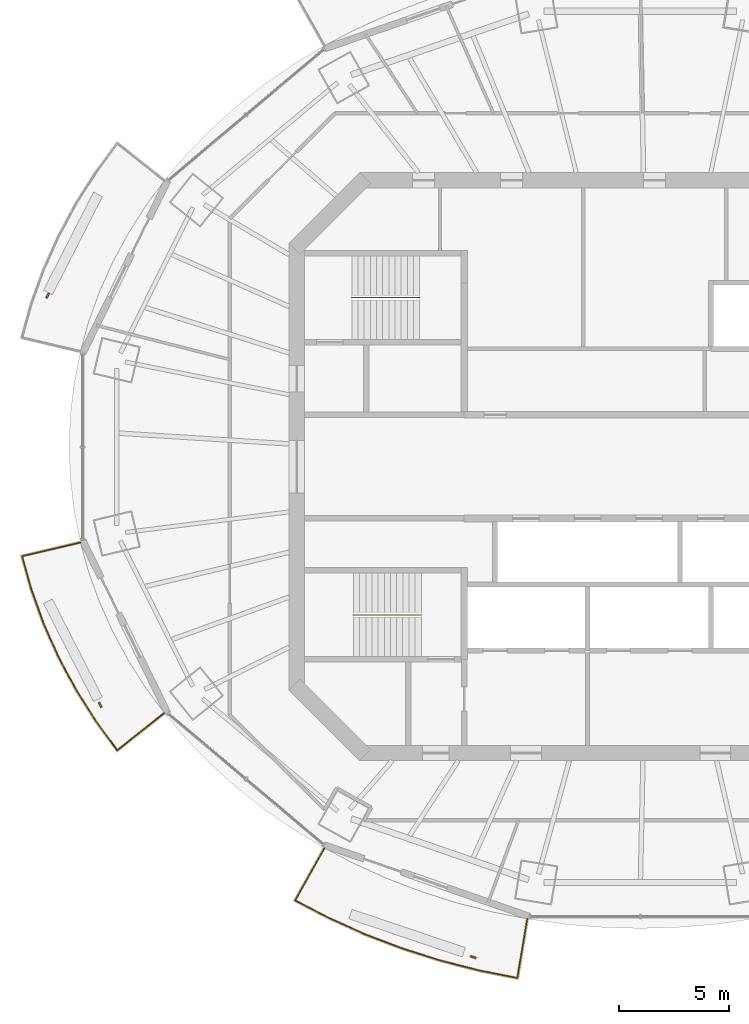
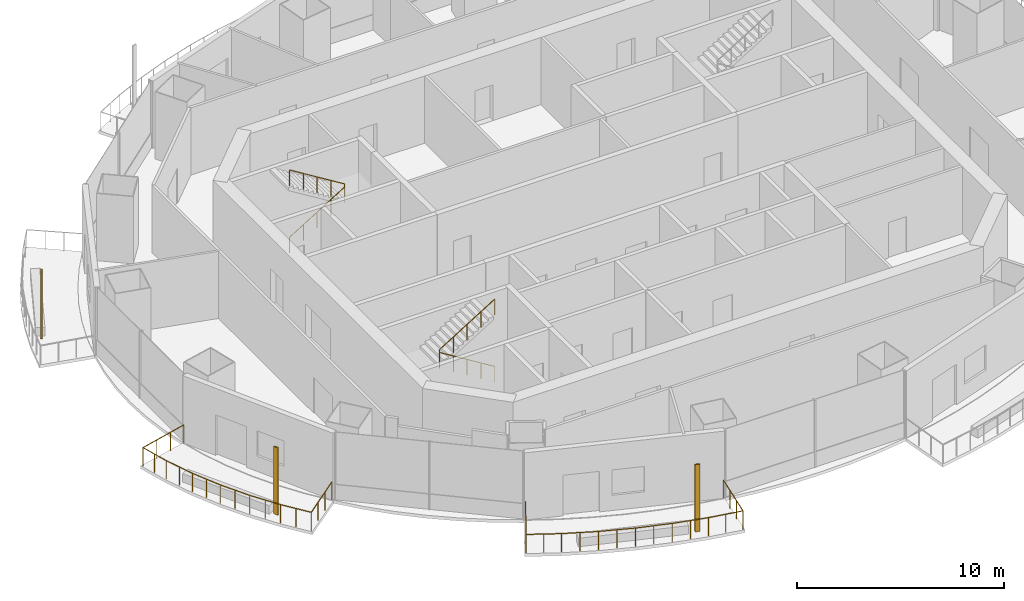
# One storey, part 12 of 16: 4 railings, 3 shading devices.
"""IFC4 building model written with IfcOpenShell, lengths in metres."""

from ifc_helpers import new_model, si_unit, direction, frame, origin, origin_2d, place, context, subcontext, project, spatial, rectangle, circle, extrude, material, material_profile, profile_set, type_object, element, save


model = new_model("IFC4")

# Units and contexts
model_context = context("Model", 3, precision=1e-05, world=origin(), true_north=direction((0.0, 1.0)))
body_context = subcontext(model_context, "Body", "Model", "MODEL_VIEW")
ifc_project = project(units=[si_unit("LENGTHUNIT", "METRE"), si_unit("AREAUNIT", "SQUARE_METRE"), si_unit("VOLUMEUNIT", "CUBIC_METRE"), si_unit("PLANEANGLEUNIT", "RADIAN"), si_unit("MASSUNIT", "GRAM", prefix="KILO")], contexts=[model_context])

# Site, building, storey
site_placement = place(None, origin())
site = spatial("IfcSite", under=ifc_project, at=site_placement, CompositionType="ELEMENT")
building_placement = place(site_placement, origin())
building = spatial("IfcBuilding", under=site, at=building_placement, Name="Marenthal Gate Tower", CompositionType="ELEMENT")
storey_placement = place(building_placement, frame((0.0, 0.0, 371.64990234375)))
storey = spatial("IfcBuildingStorey", under=building, at=storey_placement, Name="L84", CompositionType="ELEMENT", Elevation=371.64990234375)

# Railings
ifc_material_1 = material(Name="Stainless steel", Category="steel")
railing_type_1 = type_object("IfcRailingType", Name="Balcony guard 1100", PredefinedType="GUARDRAIL", material=ifc_material_1)
railing_1_placement = place(storey_placement, frame((-22.019775390625, -11.184814453125, 0.0)))
element("IfcRailing", 1, at=railing_1_placement, inside=storey, type_object=railing_type_1, Name="Balcony guard L84 bay 9", PredefinedType="GUARDRAIL", context=body_context, shape_type="SweptSolid", body=[
    extrude(circle(Radius=0.02392578125, at=origin_2d()), frame((0.0, 0.0, 1.076171875), z_axis=(-0.783849084022, -0.620779037575, -0.014628738344), x_axis=(0.62084547159, -0.783932969332, 0.0)), (0.0, 0.0, 1.0), 2.72021484375),
    extrude(circle(Radius=0.02392578125, at=origin_2d()), frame((-2.13232421875, -1.688720703125, 1.0361328125), z_axis=(-0.592180333089, 0.805805468524, 0.0), x_axis=(-0.805805468524, -0.592180333089, 0.0)), (0.0, 0.0, 1.0), 1.619384765625),
    extrude(circle(Radius=0.02392578125, at=origin_2d()), frame((-3.09130859375, -0.3837890625, 1.0361328125), z_axis=(-0.535564667698, 0.844494219467, 0.0), x_axis=(-0.844494219467, -0.535564667698, 0.0)), (0.0, 0.0, 1.0), 1.68798828125),
    extrude(circle(Radius=0.02392578125, at=origin_2d()), frame((-3.995361328125, 1.041748046875, 1.0361328125), z_axis=(-0.473457232822, 0.880816807679, 0.0), x_axis=(-0.880816807679, -0.473457232822, 0.0)), (0.0, 0.0, 1.0), 1.677001953125),
    extrude(circle(Radius=0.02392578125, at=origin_2d()), frame((-4.789306640625, 2.518798828125, 1.0361328125), z_axis=(-0.407659561492, 0.913133989031, 0.0), x_axis=(-0.913133989031, -0.407659561492, 0.0)), (0.0, 0.0, 1.0), 1.667236328125),
    extrude(circle(Radius=0.02392578125, at=origin_2d()), frame((-5.468994140625, 4.041259765625, 1.0361328125), z_axis=(-0.338563156163, 0.940943669562, 0.0), x_axis=(-0.940943669562, -0.338563156163, 0.0)), (0.0, 0.0, 1.0), 1.6591796875),
    extrude(circle(Radius=0.02392578125, at=origin_2d()), frame((-6.03076171875, 5.6025390625, 1.0361328125), z_axis=(-0.268460599739, 0.963290665577, 0.0), x_axis=(-0.963290665577, -0.268460599739, 0.0)), (0.0, 0.0, 1.0), 1.572265625),
    extrude(circle(Radius=0.02392578125, at=origin_2d()), frame((-6.452880859375, 7.1171875, 1.0361328125), z_axis=(0.973203437972, 0.229480006538, 0.014628565141), x_axis=(-0.229504564257, 0.973307584983, 0.0)), (0.0, 0.0, 1.0), 2.720458984375),
    extrude(circle(Radius=0.02099609375, at=origin_2d()), origin(), (0.0, 0.0, 1.0), 1.052001953125),
    extrude(circle(Radius=0.02099609375, at=origin_2d()), frame((-0.710693359375, -0.56298828125, -0.01318359375)), (0.0, 0.0, 1.0), 1.052001953125),
    extrude(circle(Radius=0.02099609375, at=origin_2d()), frame((-1.421630859375, -1.125732421875, -0.026611328125)), (0.0, 0.0, 1.0), 1.052001953125),
    extrude(circle(Radius=0.02099609375, at=origin_2d()), frame((-2.13232421875, -1.688720703125, -0.039794921875)), (0.0, 0.0, 1.0), 1.052001953125),
    extrude(circle(Radius=0.02099609375, at=origin_2d()), frame((-2.61181640625, -1.0361328125, -0.039794921875)), (0.0, 0.0, 1.0), 1.052001953125),
    extrude(circle(Radius=0.02099609375, at=origin_2d()), frame((-3.09130859375, -0.3837890625, -0.039794921875)), (0.0, 0.0, 1.0), 1.052001953125),
    extrude(circle(Radius=0.02099609375, at=origin_2d()), frame((-3.54345703125, 0.3291015625, -0.039794921875)), (0.0, 0.0, 1.0), 1.052001953125),
    extrude(circle(Radius=0.02099609375, at=origin_2d()), frame((-3.995361328125, 1.041748046875, -0.039794921875)), (0.0, 0.0, 1.0), 1.052001953125),
    extrude(circle(Radius=0.02099609375, at=origin_2d()), frame((-4.392333984375, 1.7802734375, -0.039794921875)), (0.0, 0.0, 1.0), 1.052001953125),
    extrude(circle(Radius=0.02099609375, at=origin_2d()), frame((-4.789306640625, 2.518798828125, -0.039794921875)), (0.0, 0.0, 1.0), 1.052001953125),
    extrude(circle(Radius=0.02099609375, at=origin_2d()), frame((-5.129150390625, 3.280029296875, -0.039794921875)), (0.0, 0.0, 1.0), 1.052001953125),
    extrude(circle(Radius=0.02099609375, at=origin_2d()), frame((-5.468994140625, 4.041259765625, -0.039794921875)), (0.0, 0.0, 1.0), 1.052001953125),
    extrude(circle(Radius=0.02099609375, at=origin_2d()), frame((-5.75, 4.82177734375, -0.039794921875)), (0.0, 0.0, 1.0), 1.052001953125),
    extrude(circle(Radius=0.02099609375, at=origin_2d()), frame((-6.03076171875, 5.6025390625, -0.039794921875)), (0.0, 0.0, 1.0), 1.052001953125),
    extrude(circle(Radius=0.02099609375, at=origin_2d()), frame((-6.24169921875, 6.35986328125, -0.039794921875)), (0.0, 0.0, 1.0), 1.052001953125),
    extrude(circle(Radius=0.02099609375, at=origin_2d()), frame((-6.452880859375, 7.1171875, -0.039794921875)), (0.0, 0.0, 1.0), 1.052001953125),
    extrude(circle(Radius=0.02099609375, at=origin_2d()), frame((-5.5703125, 7.3251953125, -0.026611328125)), (0.0, 0.0, 1.0), 1.052001953125),
    extrude(circle(Radius=0.02099609375, at=origin_2d()), frame((-4.68798828125, 7.533447265625, -0.01318359375)), (0.0, 0.0, 1.0), 1.052001953125),
    extrude(circle(Radius=0.02099609375, at=origin_2d()), frame((-3.805419921875, 7.741455078125, 0.0)), (0.0, 0.0, 1.0), 1.052001953125),
])
railing_2_placement = place(storey_placement, frame((-5.539794921875, -20.53173828125, 0.0)))
element("IfcRailing", 2, at=railing_2_placement, inside=storey, type_object=railing_type_1, Name="Balcony guard L84 bay 11", PredefinedType="GUARDRAIL", context=body_context, shape_type="SweptSolid", body=[
    extrude(circle(Radius=0.02392578125, at=origin_2d()), frame((0.0, 0.0, 1.076171875), z_axis=(-0.165501969969, -0.986100945796, -0.01462951253), x_axis=(0.9862064867, -0.165519683396, 0.0)), (0.0, 0.0, 1.0), 2.72021484375),
    extrude(circle(Radius=0.02392578125, at=origin_2d()), frame((-0.4501953125, -2.682373046875, 1.0361328125), z_axis=(-0.980989908715, 0.194058751412, 0.0), x_axis=(-0.194058751412, -0.980989908715, 0.0)), (0.0, 0.0, 1.0), 1.757568359375),
    extrude(circle(Radius=0.02392578125, at=origin_2d()), frame((-2.17431640625, -2.34130859375, 1.0361328125), z_axis=(-0.968818339515, 0.247772123168, 0.0), x_axis=(-0.247772123168, -0.968818339515, 0.0)), (0.0, 0.0, 1.0), 1.830810546875),
    extrude(circle(Radius=0.02392578125, at=origin_2d()), frame((-3.947998046875, -1.8876953125, 1.0361328125), z_axis=(-0.953191090515, 0.302368558158, 0.0), x_axis=(-0.302368558158, -0.953191090515, 0.0)), (0.0, 0.0, 1.0), 1.822265625),
    extrude(circle(Radius=0.02392578125, at=origin_2d()), frame((-5.68505859375, -1.336669921875, 1.0361328125), z_axis=(-0.934175957833, 0.356812667665, 0.0), x_axis=(-0.356812667665, -0.934175957833, 0.0)), (0.0, 0.0, 1.0), 1.813232421875),
    extrude(circle(Radius=0.02392578125, at=origin_2d()), frame((-7.37890625, -0.689697265625, 1.0361328125), z_axis=(-0.911738959801, 0.410770092851, 0.0), x_axis=(-0.410770092851, -0.911738959801, 0.0)), (0.0, 0.0, 1.0), 1.802734375),
    extrude(circle(Radius=0.02392578125, at=origin_2d()), frame((-9.0224609375, 0.05078125, 1.0361328125), z_axis=(-0.886322623965, 0.463068252257, 0.0), x_axis=(-0.463068252257, -0.886322623965, 0.0)), (0.0, 0.0, 1.0), 1.7109375),
    extrude(circle(Radius=0.02392578125, at=origin_2d()), frame((-10.538818359375, 0.843017578125, 1.0361328125), z_axis=(0.491022437076, 0.871024081854, 0.014629255574), x_axis=(-0.871117302978, 0.491074988624, 0.0)), (0.0, 0.0, 1.0), 2.72021484375),
    extrude(circle(Radius=0.02099609375, at=origin_2d()), origin(), (0.0, 0.0, 1.0), 1.052001953125),
    extrude(circle(Radius=0.02099609375, at=origin_2d()), frame((-0.150146484375, -0.89404296875, -0.01318359375)), (0.0, 0.0, 1.0), 1.052001953125),
    extrude(circle(Radius=0.02099609375, at=origin_2d()), frame((-0.300048828125, -1.788330078125, -0.026611328125)), (0.0, 0.0, 1.0), 1.052001953125),
    extrude(circle(Radius=0.02099609375, at=origin_2d()), frame((-0.4501953125, -2.682373046875, -0.039794921875)), (0.0, 0.0, 1.0), 1.052001953125),
    extrude(circle(Radius=0.02099609375, at=origin_2d()), frame((-1.312255859375, -2.51171875, -0.039794921875)), (0.0, 0.0, 1.0), 1.052001953125),
    extrude(circle(Radius=0.02099609375, at=origin_2d()), frame((-2.17431640625, -2.34130859375, -0.039794921875)), (0.0, 0.0, 1.0), 1.052001953125),
    extrude(circle(Radius=0.02099609375, at=origin_2d()), frame((-3.06103515625, -2.114501953125, -0.039794921875)), (0.0, 0.0, 1.0), 1.052001953125),
    extrude(circle(Radius=0.02099609375, at=origin_2d()), frame((-3.947998046875, -1.8876953125, -0.039794921875)), (0.0, 0.0, 1.0), 1.052001953125),
    extrude(circle(Radius=0.02099609375, at=origin_2d()), frame((-4.81640625, -1.6123046875, -0.039794921875)), (0.0, 0.0, 1.0), 1.052001953125),
    extrude(circle(Radius=0.02099609375, at=origin_2d()), frame((-5.68505859375, -1.336669921875, -0.039794921875)), (0.0, 0.0, 1.0), 1.052001953125),
    extrude(circle(Radius=0.02099609375, at=origin_2d()), frame((-6.531982421875, -1.01318359375, -0.039794921875)), (0.0, 0.0, 1.0), 1.052001953125),
    extrude(circle(Radius=0.02099609375, at=origin_2d()), frame((-7.37890625, -0.689697265625, -0.039794921875)), (0.0, 0.0, 1.0), 1.052001953125),
    extrude(circle(Radius=0.02099609375, at=origin_2d()), frame((-8.20068359375, -0.3193359375, -0.039794921875)), (0.0, 0.0, 1.0), 1.052001953125),
    extrude(circle(Radius=0.02099609375, at=origin_2d()), frame((-9.0224609375, 0.05078125, -0.039794921875)), (0.0, 0.0, 1.0), 1.052001953125),
    extrude(circle(Radius=0.02099609375, at=origin_2d()), frame((-9.78076171875, 0.44677734375, -0.039794921875)), (0.0, 0.0, 1.0), 1.052001953125),
    extrude(circle(Radius=0.02099609375, at=origin_2d()), frame((-10.538818359375, 0.843017578125, -0.039794921875)), (0.0, 0.0, 1.0), 1.052001953125),
    extrude(circle(Radius=0.02099609375, at=origin_2d()), frame((-10.093505859375, 1.6328125, -0.026611328125)), (0.0, 0.0, 1.0), 1.052001953125),
    extrude(circle(Radius=0.02099609375, at=origin_2d()), frame((-9.6484375, 2.422607421875, -0.01318359375)), (0.0, 0.0, 1.0), 1.052001953125),
    extrude(circle(Radius=0.02099609375, at=origin_2d()), frame((-9.203125, 3.21240234375, 0.0)), (0.0, 0.0, 1.0), 1.052001953125),
])
ifc_material_2 = material(Name="Stainless steel", Category="steel")
railing_type_2 = type_object("IfcRailingType", Name="Stair handrail", PredefinedType="HANDRAIL", material=ifc_material_2)
railing_3_placement = place(storey_placement, frame((-13.5, 7.675048828125, 0.173095703125)))
element("IfcRailing", 3, at=railing_3_placement, inside=storey, type_object=railing_type_2, Name="Handrail ST1", PredefinedType="HANDRAIL", context=body_context, shape_type="SweptSolid", body=[
    extrude(circle(Radius=0.0224609375, at=origin_2d()), frame((0.0, 0.0, 0.927490234375), z_axis=(0.850835241893, 0.0, 0.525432575268), x_axis=(0.0, 1.0, 0.0)), (0.0, 0.0, 1.0), 3.6201171875),
    extrude(circle(Radius=0.0224609375, at=origin_2d()), frame((3.080078125, 0.0, 2.82958984375), z_axis=(0.0, 0.0, 1.0), x_axis=(1.0, 0.0, 0.0)), (0.0, 0.0, 1.0), 0.1728515625),
    extrude(circle(Radius=0.0224609375, at=origin_2d()), frame((3.080078125, 0.0, 3.00244140625), z_axis=(-0.850835241893, 0.0, 0.525432575268), x_axis=(0.0, -1.0, 0.0)), (0.0, 0.0, 1.0), 3.6201171875),
    extrude(circle(Radius=0.02001953125, at=origin_2d()), origin(), (0.0, 0.0, 1.0), 0.905029296875),
    extrude(circle(Radius=0.02001953125, at=origin_2d()), frame((0.77001953125, 0.0, 0.4755859375)), (0.0, 0.0, 1.0), 0.905029296875),
    extrude(circle(Radius=0.02001953125, at=origin_2d()), frame((1.5400390625, 0.0, 0.951171875)), (0.0, 0.0, 1.0), 0.905029296875),
    extrude(circle(Radius=0.02001953125, at=origin_2d()), frame((2.31005859375, 0.0, 1.426513671875)), (0.0, 0.0, 1.0), 0.905029296875),
    extrude(circle(Radius=0.02001953125, at=origin_2d()), frame((3.080078125, 0.0, 1.902099609375)), (0.0, 0.0, 1.0), 0.905029296875),
    extrude(circle(Radius=0.02001953125, at=origin_2d()), frame((3.080078125, 0.0, 2.074951171875)), (0.0, 0.0, 1.0), 0.905029296875),
    extrude(circle(Radius=0.02001953125, at=origin_2d()), frame((2.31005859375, 0.0, 2.550537109375)), (0.0, 0.0, 1.0), 0.905029296875),
    extrude(circle(Radius=0.02001953125, at=origin_2d()), frame((1.5400390625, 0.0, 3.02587890625)), (0.0, 0.0, 1.0), 0.905029296875),
    extrude(circle(Radius=0.02001953125, at=origin_2d()), frame((0.77001953125, 0.0, 3.50146484375)), (0.0, 0.0, 1.0), 0.905029296875),
    extrude(circle(Radius=0.02001953125, at=origin_2d()), frame((0.0, 0.0, 3.97705078125)), (0.0, 0.0, 1.0), 0.905029296875),
])
railing_4_placement = place(storey_placement, frame((-10.35009765625, -6.72509765625, 0.173095703125)))
element("IfcRailing", 4, at=railing_4_placement, inside=storey, type_object=railing_type_2, Name="Handrail ST2", PredefinedType="HANDRAIL", context=body_context, shape_type="SweptSolid", body=[
    extrude(circle(Radius=0.0224609375, at=origin_2d()), frame((0.0, 0.0, 0.927490234375), z_axis=(-0.850816621229, 0.0, 0.525462726595), x_axis=(0.0, -1.0, 0.0)), (0.0, 0.0, 1.0), 3.619873046875),
    extrude(circle(Radius=0.0224609375, at=origin_2d()), frame((-3.079833984375, 0.0, 2.82958984375), z_axis=(0.0, 0.0, 1.0), x_axis=(1.0, 0.0, 0.0)), (0.0, 0.0, 1.0), 0.1728515625),
    extrude(circle(Radius=0.0224609375, at=origin_2d()), frame((-3.079833984375, 0.0, 3.00244140625), z_axis=(0.850816621229, 0.0, 0.525462726595), x_axis=(0.0, 1.0, 0.0)), (0.0, 0.0, 1.0), 3.619873046875),
    extrude(circle(Radius=0.02001953125, at=origin_2d()), origin(), (0.0, 0.0, 1.0), 0.905029296875),
    extrude(circle(Radius=0.02001953125, at=origin_2d()), frame((-0.77001953125, 0.0, 0.4755859375)), (0.0, 0.0, 1.0), 0.905029296875),
    extrude(circle(Radius=0.02001953125, at=origin_2d()), frame((-1.5400390625, 0.0, 0.951171875)), (0.0, 0.0, 1.0), 0.905029296875),
    extrude(circle(Radius=0.02001953125, at=origin_2d()), frame((-2.309814453125, 0.0, 1.426513671875)), (0.0, 0.0, 1.0), 0.905029296875),
    extrude(circle(Radius=0.02001953125, at=origin_2d()), frame((-3.079833984375, 0.0, 1.902099609375)), (0.0, 0.0, 1.0), 0.905029296875),
    extrude(circle(Radius=0.02001953125, at=origin_2d()), frame((-3.079833984375, 0.0, 2.074951171875)), (0.0, 0.0, 1.0), 0.905029296875),
    extrude(circle(Radius=0.02001953125, at=origin_2d()), frame((-2.309814453125, 0.0, 2.550537109375)), (0.0, 0.0, 1.0), 0.905029296875),
    extrude(circle(Radius=0.02001953125, at=origin_2d()), frame((-1.5400390625, 0.0, 3.02587890625)), (0.0, 0.0, 1.0), 0.905029296875),
    extrude(circle(Radius=0.02001953125, at=origin_2d()), frame((-0.77001953125, 0.0, 3.50146484375)), (0.0, 0.0, 1.0), 0.905029296875),
    extrude(circle(Radius=0.02001953125, at=origin_2d()), frame((0.0, 0.0, 3.97705078125)), (0.0, 0.0, 1.0), 0.905029296875),
])

# Shading devices
ifc_material_3 = material(Name="Terracotta", Category="masonry")
ifc_material_profile = material_profile(ifc_material_3, rectangle(XDim=0.25, YDim=0.080078125, at=origin_2d()), Name="Terracotta baguette 250x80")
ifc_profile_set = profile_set([ifc_material_profile], Name="Terracotta")
shading_device_type = type_object("IfcShadingDeviceType", Name="Terracotta BAGUETTE SCREEN 250x80", PredefinedType="USERDEFINED", material=ifc_profile_set)
for number, where, z_axis, x_axis, name in (
    (5, (-27.3125, 7.766845703125, -0.039794921875), (0.0, 0.0, 1.0), (-0.44093893362, -0.897537106096, 0.0), "Terracotta BAGUETTE L84 bay 7R"),
    (6, (-24.931396484375, -10.81396484375, -0.039794921875), (0.0, 0.0, 1.0), (0.44093893362, -0.897537106096, 0.0), "Terracotta BAGUETTE L84 bay 9R"),
    (7, (-7.99267578125, -22.2724609375, -0.039794921875), (0.0, 0.0, 1.0), (0.944082187386, -0.329710211338, 0.0), "Terracotta BAGUETTE L84 bay 11R"),
):
    element("IfcShadingDevice", number, at=place(storey_placement, frame(where, z_axis=z_axis, x_axis=x_axis)), inside=storey, type_object=shading_device_type, Name=name, ObjectType="BAGUETTE SCREEN", PredefinedType="USERDEFINED", context=body_context, shape_type="SweptSolid", body=[
        extrude(rectangle(XDim=0.25, YDim=0.080078125, at=origin_2d()), origin(), (0.0, 0.0, 1.0), 3.969970703125),
    ])

save(model, "model.ifc")
